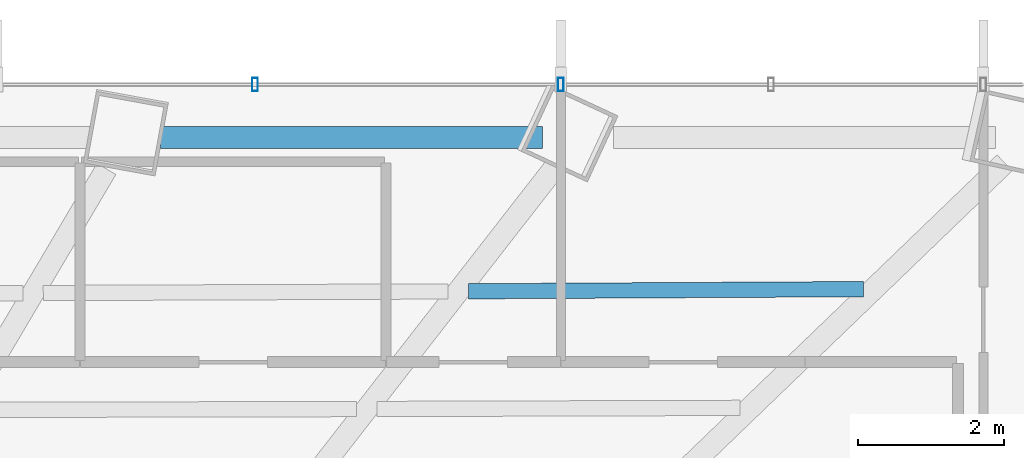
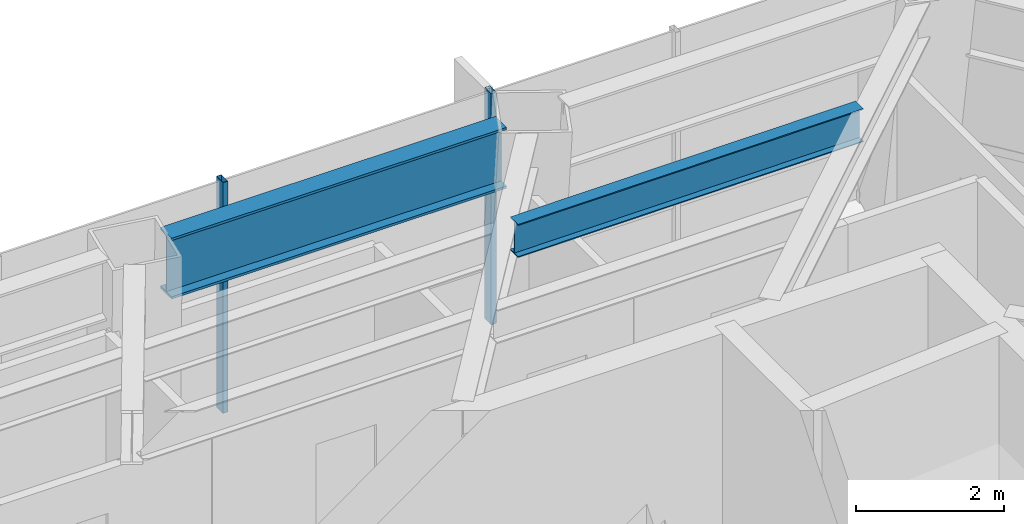
# One storey, part 13 of 24: 2 beams, 2 members, 1 element without a shape of its own.
"""IFC4 building model written with IfcOpenShell, lengths in metres."""

from ifc_helpers import new_model, si_unit, direction, frame, origin, origin_2d, place, context, subcontext, project, spatial, hollow_rectangle, i_section, extrude, material, layer, layer_set, material_profile, profile_set, type_object, element, aggregate, save


model = new_model("IFC4")

# Units and contexts
model_context = context("Model", 3, precision=1e-05, world=origin(), true_north=direction((0.0, 1.0)))
body_context = subcontext(model_context, "Body", "Model", "MODEL_VIEW")
ifc_project = project(units=[si_unit("LENGTHUNIT", "METRE"), si_unit("AREAUNIT", "SQUARE_METRE"), si_unit("VOLUMEUNIT", "CUBIC_METRE"), si_unit("PLANEANGLEUNIT", "RADIAN"), si_unit("MASSUNIT", "GRAM", prefix="KILO")], contexts=[model_context])

# Site, building, storey
site_placement = place(None, origin())
site = spatial("IfcSite", under=ifc_project, at=site_placement, CompositionType="ELEMENT")
building_placement = place(site_placement, origin())
building = spatial("IfcBuilding", under=site, at=building_placement, Name="Zarrinselat Tower", CompositionType="ELEMENT")
storey_placement = place(building_placement, frame((0.0, 0.0, 68.340087890625)))
storey = spatial("IfcBuildingStorey", under=building, at=storey_placement, Name="L16", CompositionType="ELEMENT", Elevation=68.340087890625)

# Beams
ifc_material_1 = material(Name="Steel S460M", Category="steel")
ifc_material_profile_1 = material_profile(ifc_material_1, i_section(OverallWidth=0.302001953125, OverallDepth=1.008056640625, WebThickness=0.02099609375, FlangeThickness=0.0400390625, at=origin_2d()), Name="HEM 1000")
ifc_profile_set_1 = profile_set([ifc_material_profile_1], Name="Steel S460M")
beam_type_1 = type_object("IfcBeamType", Name="BM-HEM1000", PredefinedType="BEAM", material=ifc_profile_set_1)
beam_1_placement = place(storey_placement, frame((39.505126953125, 49.083251953125, 3.31591796875), z_axis=(1.0, 0.0, 0.0), x_axis=(0.0, 1.0, 0.0)))
element("IfcBeam", 1, at=beam_1_placement, inside=storey, type_object=beam_type_1, Name="L16 Perimeter Spandrel Girder SP02", PredefinedType="BEAM", context=body_context, shape_type="SweptSolid", body=[
    extrude(i_section(OverallWidth=0.302001953125, OverallDepth=1.008056640625, WebThickness=0.02099609375, FlangeThickness=0.0400390625, at=origin_2d()), origin(), (0.0, 0.0, 1.0), 5.2421875),
])
ifc_material_2 = material(Name="Steel S355J2", Category="steel")
ifc_material_profile_2 = material_profile(ifc_material_2, i_section(OverallWidth=0.2099609375, OverallDepth=0.550048828125, WebThickness=0.010986328125, FlangeThickness=0.01708984375, at=origin_2d()), Name="IPE 550")
ifc_profile_set_2 = profile_set([ifc_material_profile_2], Name="Steel S355J2")
beam_type_2 = type_object("IfcBeamType", Name="BM-IPE550", PredefinedType="JOIST", material=ifc_profile_set_2)
beam_2_placement = place(storey_placement, frame((43.731689453125, 46.971923828125, 3.544921875), z_axis=(0.999984657088, 0.005539457432, 0.0), x_axis=(-0.005539457432, 0.999984657088, 0.0)))
element("IfcBeam", 2, at=beam_2_placement, inside=storey, type_object=beam_type_2, Name="L16 Composite Floor Joist 7-1", PredefinedType="JOIST", context=body_context, shape_type="SweptSolid", body=[
    extrude(i_section(OverallWidth=0.2099609375, OverallDepth=0.550048828125, WebThickness=0.010986328125, FlangeThickness=0.01708984375, at=origin_2d()), origin(), (0.0, 0.0, 1.0), 5.4208984375),
])

# Curtain wall, members
ifc_material_3 = material(Name="Extruded Aluminium Alloy EN AW-6063 T6", Category="aluminium")
ifc_layer = layer(ifc_material_3, 0.18505859375)
ifc_layer_set = layer_set([ifc_layer], Name="Extruded Aluminium Alloy EN AW-6063 T6")
curtain_wall_type = type_object("IfcCurtainWallType", Name="CWS-OFF", PredefinedType="NOTDEFINED", material=ifc_layer_set)
curtain_wall_placement = place(storey_placement, origin())
curtain_wall = element("IfcCurtainWall", 3, at=curtain_wall_placement, inside=storey, type_object=curtain_wall_type, Name="L16 Unitised Curtain Wall CW-L16-E02", PredefinedType="NOTDEFINED")
ifc_material_4 = material(Name="Extruded Aluminium Alloy EN AW-6063 T6", Category="aluminium")
ifc_material_profile_3 = material_profile(ifc_material_4, hollow_rectangle(XDim=0.080078125, YDim=0.179931640625, WallThickness=0.0048828125, at=origin_2d()), Name="RHS 180x80x5")
ifc_profile_set_3 = profile_set([ifc_material_profile_3], Name="Extruded Aluminium Alloy EN AW-6063 T6")
member_type = type_object("IfcMemberType", Name="MEM-CW-MUL", PredefinedType="MULLION", material=ifc_profile_set_3)
member_1_placement = place(storey_placement, frame((40.802001953125, 49.81103515625, 0.0), z_axis=(0.0, 0.0, 1.0), x_axis=(1.0, 0.0, 0.0)))
member_1 = element("IfcMember", 4, at=member_1_placement, type_object=member_type, Name="CW-L16-E02 Mullion 4", PredefinedType="MULLION", context=body_context, shape_type="SweptSolid", body=[
    extrude(hollow_rectangle(XDim=0.080078125, YDim=0.179931640625, WallThickness=0.0048828125, at=origin_2d()), origin(), (0.0, 0.0, 1.0), 3.81982421875),
])
member_2_placement = place(storey_placement, frame((45.0, 49.81103515625, 0.0), z_axis=(0.0, 0.0, 1.0), x_axis=(1.0, 0.0, 0.0)))
member_2 = element("IfcMember", 5, at=member_2_placement, type_object=member_type, Name="CW-L16-E02 Mullion 5", PredefinedType="MULLION", context=body_context, shape_type="SweptSolid", body=[
    extrude(hollow_rectangle(XDim=0.080078125, YDim=0.179931640625, WallThickness=0.0048828125, at=origin_2d()), origin(), (0.0, 0.0, 1.0), 3.81982421875),
])
aggregate(curtain_wall, [member_1, member_2])

save(model, "model.ifc")
